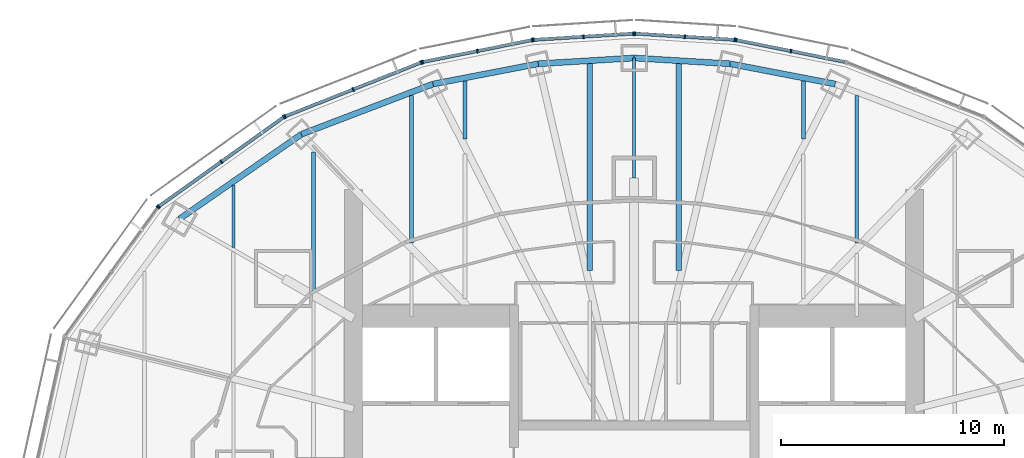
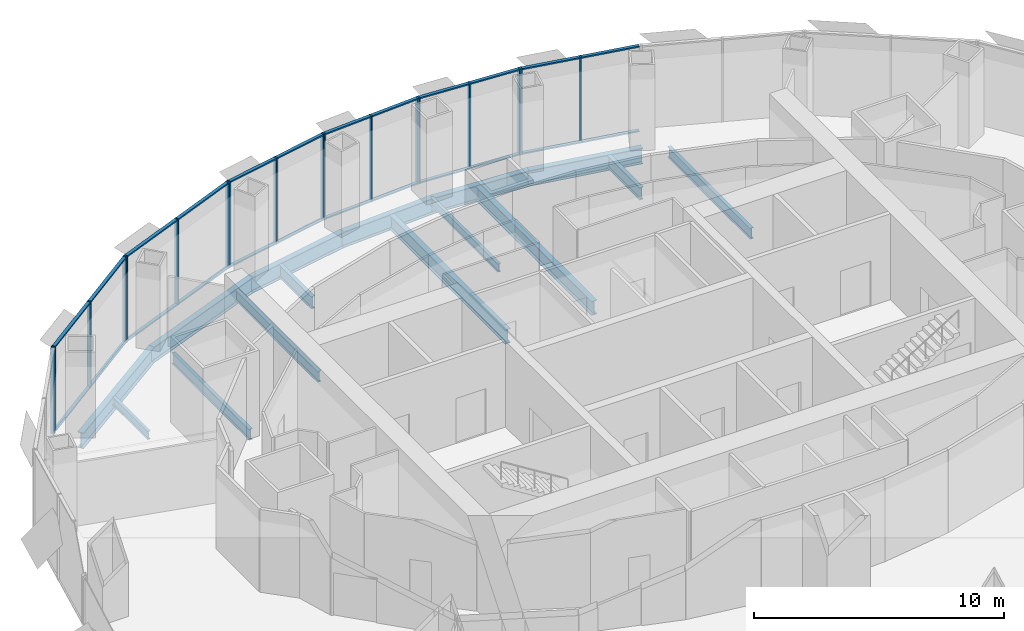
# One storey, part 8 of 17: 42 members, 15 beams, 7 elements without a shape of their own.
"""IFC4 building model written with IfcOpenShell, lengths in metres."""

from ifc_helpers import new_model, si_unit, direction, frame, origin, origin_2d, place, context, subcontext, project, spatial, rectangle, i_section, extrude, material, material_profile, profile_set, type_object, element, aggregate, save


model = new_model("IFC4")

# Units and contexts
model_context = context("Model", 3, precision=1e-05, world=origin(), true_north=direction((0.0, 1.0)))
body_context = subcontext(model_context, "Body", "Model", "MODEL_VIEW")
ifc_project = project(units=[si_unit("LENGTHUNIT", "METRE"), si_unit("AREAUNIT", "SQUARE_METRE"), si_unit("VOLUMEUNIT", "CUBIC_METRE"), si_unit("PLANEANGLEUNIT", "RADIAN"), si_unit("MASSUNIT", "GRAM", prefix="KILO")], contexts=[model_context])

# Site, building, storey
site_placement = place(None, origin())
site = spatial("IfcSite", under=ifc_project, at=site_placement, CompositionType="ELEMENT")
building_placement = place(site_placement, origin())
building = spatial("IfcBuilding", under=site, at=building_placement, Name="Lantaw Convention Tower", CompositionType="ELEMENT")
storey_placement = place(building_placement, frame((0.0, 0.0, 207.39990234375)))
storey = spatial("IfcBuildingStorey", under=building, at=storey_placement, Name="L48", CompositionType="ELEMENT", Elevation=207.39990234375)

# Beams
ifc_material_1 = material(Name="Steel ASTM A992", Category="steel")
ifc_material_profile_1 = material_profile(ifc_material_1, i_section(OverallWidth=0.2666015625, OverallDepth=0.76953125, WebThickness=0.015625, FlangeThickness=0.025390625, FilletRadius=0.0126953125, at=origin_2d()), Name="W30X132")
ifc_profile_set_1 = profile_set([ifc_material_profile_1], Name="Steel ASTM A992")
beam_type_1 = type_object("IfcBeamType", Name="Beam E W30X132", PredefinedType="SPANDREL", material=ifc_profile_set_1)
beam_1_placement = place(storey_placement, frame((9.03466796875, 17.7314453125, -0.53466796875), z_axis=(-0.981972091702, 0.189025953556, 0.0), x_axis=(-0.189025953556, -0.981972091702, 0.0)))
element("IfcBeam", 1, at=beam_1_placement, inside=storey, type_object=beam_type_1, Name="Edge beam 5", PredefinedType="SPANDREL", context=body_context, shape_type="SweptSolid", body=[
    extrude(i_section(OverallWidth=0.2666015625, OverallDepth=0.76953125, WebThickness=0.015625, FlangeThickness=0.025390625, FilletRadius=0.0126953125, at=origin_2d()), origin(), (0.0, 0.0, 1.0), 4.817626953125),
])
for number, where, z_axis, x_axis, name in (
    (2, (4.303955078125, 18.64208984375, -0.53466796875), (-0.998210730897, 0.059794119452, 0.0), (-0.059794119452, -0.998210730897, 0.0), "Edge beam 6"),
    (3, (0.0, 18.89990234375, -0.53466796875), (-0.998210730897, -0.059794119452, 0.0), (0.059794119452, -0.998210730897, 0.0), "Edge beam 7"),
):
    element("IfcBeam", number, at=place(storey_placement, frame(where, z_axis=z_axis, x_axis=x_axis)), inside=storey, type_object=beam_type_1, Name=name, PredefinedType="SPANDREL", context=body_context, shape_type="SweptSolid", body=[
        extrude(i_section(OverallWidth=0.2666015625, OverallDepth=0.76953125, WebThickness=0.015625, FlangeThickness=0.025390625, FilletRadius=0.0126953125, at=origin_2d()), origin(), (0.0, 0.0, 1.0), 4.311767578125),
    ])
beam_2_placement = place(storey_placement, frame((-4.303955078125, 18.64208984375, -0.53466796875), z_axis=(-0.981972091702, -0.189025953556, 0.0), x_axis=(0.189025953556, -0.981972091702, 0.0)))
element("IfcBeam", 4, at=beam_2_placement, inside=storey, type_object=beam_type_1, Name="Edge beam 8", PredefinedType="SPANDREL", context=body_context, shape_type="SweptSolid", body=[
    extrude(i_section(OverallWidth=0.2666015625, OverallDepth=0.76953125, WebThickness=0.015625, FlangeThickness=0.025390625, FilletRadius=0.0126953125, at=origin_2d()), origin(), (0.0, 0.0, 1.0), 4.817626953125),
])
beam_3_placement = place(storey_placement, frame((-9.03466796875, 17.7314453125, -0.53466796875), z_axis=(-0.934234988, -0.356658081637, 0.0), x_axis=(0.356658081637, -0.934234988, 0.0)))
element("IfcBeam", 5, at=beam_3_placement, inside=storey, type_object=beam_type_1, Name="Edge beam 9", PredefinedType="SPANDREL", context=body_context, shape_type="SweptSolid", body=[
    extrude(i_section(OverallWidth=0.2666015625, OverallDepth=0.76953125, WebThickness=0.015625, FlangeThickness=0.025390625, FilletRadius=0.0126953125, at=origin_2d()), origin(), (0.0, 0.0, 1.0), 6.32568359375),
])
beam_4_placement = place(storey_placement, frame((-14.9443359375, 15.475341796875, -0.53466796875), z_axis=(-0.82135329406, -0.570419815869, 0.0), x_axis=(0.570419815869, -0.82135329406, 0.0)))
element("IfcBeam", 6, at=beam_4_placement, inside=storey, type_object=beam_type_1, Name="Edge beam 10", PredefinedType="SPANDREL", context=body_context, shape_type="SweptSolid", body=[
    extrude(i_section(OverallWidth=0.2666015625, OverallDepth=0.76953125, WebThickness=0.015625, FlangeThickness=0.025390625, FilletRadius=0.0126953125, at=origin_2d()), origin(), (0.0, 0.0, 1.0), 6.67041015625),
])
ifc_material_profile_2 = material_profile(ifc_material_1, i_section(OverallWidth=0.140380859375, OverallDepth=0.40380859375, WebThickness=0.007080078125, FlangeThickness=0.01123046875, FilletRadius=0.01025390625, at=origin_2d()), Name="W16X31")
ifc_profile_set_2 = profile_set([ifc_material_profile_2], Name="Steel ASTM A992")
beam_type_2 = type_object("IfcBeamType", Name="Beam G W16X31", PredefinedType="BEAM", material=ifc_profile_set_2)
beam_5_placement = place(storey_placement, frame((0.0, 13.5, -0.351806640625), z_axis=(0.0, 1.0, 0.0), x_axis=(-1.0, 0.0, 0.0)))
element("IfcBeam", 7, at=beam_5_placement, inside=storey, type_object=beam_type_2, Name="Floor girder on ray 7", PredefinedType="BEAM", context=body_context, shape_type="SweptSolid", body=[
    extrude(i_section(OverallWidth=0.140380859375, OverallDepth=0.40380859375, WebThickness=0.007080078125, FlangeThickness=0.01123046875, FilletRadius=0.01025390625, at=origin_2d()), origin(), (0.0, 0.0, 1.0), 5.39990234375),
])
ifc_material_profile_3 = material_profile(ifc_material_1, i_section(OverallWidth=0.140380859375, OverallDepth=0.40380859375, WebThickness=0.007080078125, FlangeThickness=0.01123046875, FilletRadius=0.01025390625, at=origin_2d()), Name="W16X31")
ifc_profile_set_3 = profile_set([ifc_material_profile_3], Name="Steel ASTM A992")
beam_type_3 = type_object("IfcBeamType", Name="Beam J W16X31", PredefinedType="JOIST", material=ifc_profile_set_3)
beam_6_placement = place(storey_placement, frame((-18.0, 10.380859375, -0.351806640625), z_axis=(0.0, 1.0, 0.0), x_axis=(-1.0, 0.0, 0.0)))
element("IfcBeam", 8, at=beam_6_placement, inside=storey, type_object=beam_type_3, Name="Floor joist", PredefinedType="JOIST", context=body_context, shape_type="SweptSolid", body=[
    extrude(i_section(OverallWidth=0.140380859375, OverallDepth=0.40380859375, WebThickness=0.007080078125, FlangeThickness=0.01123046875, FilletRadius=0.01025390625, at=origin_2d()), origin(), (0.0, 0.0, 1.0), 2.81005859375),
])
ifc_material_profile_4 = material_profile(ifc_material_1, i_section(OverallWidth=0.1650390625, OverallDepth=0.52587890625, WebThickness=0.0087890625, FlangeThickness=0.011474609375, FilletRadius=0.0126953125, at=origin_2d()), Name="W21X44")
ifc_profile_set_4 = profile_set([ifc_material_profile_4], Name="Steel ASTM A992")
beam_type_4 = type_object("IfcBeamType", Name="Beam J W21X44", PredefinedType="JOIST", material=ifc_profile_set_4)
beam_7_placement = place(storey_placement, frame((-14.39990234375, 8.461181640625, -0.412841796875), z_axis=(0.0, 1.0, 0.0), x_axis=(-1.0, 0.0, 0.0)))
element("IfcBeam", 9, at=beam_7_placement, inside=storey, type_object=beam_type_4, Name="Floor joist", PredefinedType="JOIST", context=body_context, shape_type="SweptSolid", body=[
    extrude(i_section(OverallWidth=0.1650390625, OverallDepth=0.52587890625, WebThickness=0.0087890625, FlangeThickness=0.011474609375, FilletRadius=0.0126953125, at=origin_2d()), origin(), (0.0, 0.0, 1.0), 6.214599609375),
])
for number, where, z_axis, x_axis, name in (
    (10, (-10.0, 10.591064453125, -0.412841796875), (0.0, 1.0, 0.0), (-1.0, 0.0, 0.0), "Floor joist"),
    (11, (10.0, 10.591064453125, -0.412841796875), (0.0, 1.0, 0.0), (-1.0, 0.0, 0.0), "Floor joist"),
):
    element("IfcBeam", number, at=place(storey_placement, frame(where, z_axis=z_axis, x_axis=x_axis)), inside=storey, type_object=beam_type_4, Name=name, PredefinedType="JOIST", context=body_context, shape_type="SweptSolid", body=[
        extrude(i_section(OverallWidth=0.1650390625, OverallDepth=0.52587890625, WebThickness=0.0087890625, FlangeThickness=0.011474609375, FilletRadius=0.0126953125, at=origin_2d()), origin(), (0.0, 0.0, 1.0), 6.629150390625),
    ])
ifc_material_profile_5 = material_profile(ifc_material_1, i_section(OverallWidth=0.177978515625, OverallDepth=0.599365234375, WebThickness=0.010009765625, FlangeThickness=0.012939453125, FilletRadius=0.012939453125, at=origin_2d()), Name="W24X55")
ifc_profile_set_5 = profile_set([ifc_material_profile_5], Name="Steel ASTM A992")
beam_type_5 = type_object("IfcBeamType", Name="Beam J W24X55", PredefinedType="JOIST", material=ifc_profile_set_5)
for number, where, z_axis, x_axis, name in (
    (12, (-7.60009765625, 15.25439453125, -0.44970703125), (0.0, 1.0, 0.0), (-1.0, 0.0, 0.0), "Floor joist"),
    (13, (7.60009765625, 15.25439453125, -0.44970703125), (0.0, 1.0, 0.0), (-1.0, 0.0, 0.0), "Floor joist"),
):
    element("IfcBeam", number, at=place(storey_placement, frame(where, z_axis=z_axis, x_axis=x_axis)), inside=storey, type_object=beam_type_5, Name=name, PredefinedType="JOIST", context=body_context, shape_type="SweptSolid", body=[
        extrude(i_section(OverallWidth=0.177978515625, OverallDepth=0.599365234375, WebThickness=0.010009765625, FlangeThickness=0.012939453125, FilletRadius=0.012939453125, at=origin_2d()), origin(), (0.0, 0.0, 1.0), 2.617431640625),
    ])
ifc_material_profile_6 = material_profile(ifc_material_1, i_section(OverallWidth=0.25390625, OverallDepth=0.683349609375, WebThickness=0.012451171875, FlangeThickness=0.01904296875, FilletRadius=0.01513671875, at=origin_2d()), Name="W27X94")
ifc_profile_set_6 = profile_set([ifc_material_profile_6], Name="Steel ASTM A992")
beam_type_6 = type_object("IfcBeamType", Name="Beam J W27X94", PredefinedType="JOIST", material=ifc_profile_set_6)
for number, where, z_axis, x_axis, name in (
    (14, (-2.0, 9.34619140625, -0.491455078125), (0.0, 1.0, 0.0), (-1.0, 0.0, 0.0), "Floor joist"),
    (15, (2.0, 9.34619140625, -0.491455078125), (0.0, 1.0, 0.0), (-1.0, 0.0, 0.0), "Floor joist"),
):
    element("IfcBeam", number, at=place(storey_placement, frame(where, z_axis=z_axis, x_axis=x_axis)), inside=storey, type_object=beam_type_6, Name=name, PredefinedType="JOIST", context=body_context, shape_type="SweptSolid", body=[
        extrude(i_section(OverallWidth=0.25390625, OverallDepth=0.683349609375, WebThickness=0.012451171875, FlangeThickness=0.01904296875, FilletRadius=0.01513671875, at=origin_2d()), origin(), (0.0, 0.0, 1.0), 9.30029296875),
    ])

# Curtain wall, members
ifc_material_2 = material(Name="Aluminium framed curtain wall", Category="aluminium")
curtain_wall_type = type_object("IfcCurtainWallType", Name="Office curtain wall high rise, pale aluminium", PredefinedType="USERDEFINED", material=ifc_material_2)
curtain_wall_1_placement = place(storey_placement, origin())
curtain_wall_1 = element("IfcCurtainWall", 16, at=curtain_wall_1_placement, inside=storey, type_object=curtain_wall_type, Name="Office curtain wall high rise, pale aluminium L48", ObjectType="UNITISED CURTAIN WALL", PredefinedType="USERDEFINED")
ifc_material_3 = material(Name="Aluminium 6063-T6", Category="aluminium")
ifc_material_profile_7 = material_profile(ifc_material_3, rectangle(XDim=0.179931640625, YDim=0.06494140625, at=origin_2d()), Name="CW-O2 mullion 65x180")
ifc_profile_set_7 = profile_set([ifc_material_profile_7], Name="Aluminium 6063-T6")
member_type_1 = type_object("IfcMemberType", Name="CW-O2 mullion 65x180", PredefinedType="MULLION", material=ifc_profile_set_7)
member_1_placement = place(storey_placement, frame((7.042724609375, 19.212646484375, -0.14990234375), z_axis=(0.0, 0.0, 1.0), x_axis=(-0.197183095987, -0.980366679695, 0.0)))
member_1 = element("IfcMember", 17, at=member_1_placement, type_object=member_type_1, Name="CW-O2 mullion 2", PredefinedType="MULLION", context=body_context, shape_type="SweptSolid", body=[
    extrude(rectangle(XDim=0.179931640625, YDim=0.06494140625, at=origin_2d()), origin(), (0.0, 0.0, 1.0), 4.199951171875),
])
member_2_placement = place(storey_placement, frame((4.583251953125, 19.70751953125, -0.14990234375), z_axis=(0.0, 0.0, 1.0), x_axis=(-0.197183095987, -0.980366679695, 0.0)))
member_2 = element("IfcMember", 18, at=member_2_placement, type_object=member_type_1, Name="CW-O2 mullion 3", PredefinedType="MULLION", context=body_context, shape_type="SweptSolid", body=[
    extrude(rectangle(XDim=0.179931640625, YDim=0.06494140625, at=origin_2d()), origin(), (0.0, 0.0, 1.0), 4.199951171875),
])

curtain_wall_2_placement = place(storey_placement, origin())
curtain_wall_2 = element("IfcCurtainWall", 19, at=curtain_wall_2_placement, inside=storey, type_object=curtain_wall_type, Name="Office curtain wall high rise, pale aluminium L48", ObjectType="UNITISED CURTAIN WALL", PredefinedType="USERDEFINED")
member_3_placement = place(storey_placement, frame((4.518798828125, 19.7158203125, -0.14990234375), z_axis=(0.0, 0.0, 1.0), x_axis=(-0.062757983884, -0.998028774865, 0.0)))
member_3 = element("IfcMember", 20, at=member_3_placement, type_object=member_type_1, Name="CW-O2 mullion 1", PredefinedType="MULLION", context=body_context, shape_type="SweptSolid", body=[
    extrude(rectangle(XDim=0.179931640625, YDim=0.06494140625, at=origin_2d()), origin(), (0.0, 0.0, 1.0), 4.199951171875),
])
member_4_placement = place(storey_placement, frame((2.275634765625, 19.85693359375, -0.14990234375), z_axis=(0.0, 0.0, 1.0), x_axis=(-0.062757983884, -0.998028774865, 0.0)))
member_4 = element("IfcMember", 21, at=member_4_placement, type_object=member_type_1, Name="CW-O2 mullion 2", PredefinedType="MULLION", context=body_context, shape_type="SweptSolid", body=[
    extrude(rectangle(XDim=0.179931640625, YDim=0.06494140625, at=origin_2d()), origin(), (0.0, 0.0, 1.0), 4.199951171875),
])
member_5_placement = place(storey_placement, frame((0.032470703125, 19.998046875, -0.14990234375), z_axis=(0.0, 0.0, 1.0), x_axis=(-0.062757983884, -0.998028774865, 0.0)))
member_5 = element("IfcMember", 22, at=member_5_placement, type_object=member_type_1, Name="CW-O2 mullion 3", PredefinedType="MULLION", context=body_context, shape_type="SweptSolid", body=[
    extrude(rectangle(XDim=0.179931640625, YDim=0.06494140625, at=origin_2d()), origin(), (0.0, 0.0, 1.0), 4.199951171875),
])

curtain_wall_3_placement = place(storey_placement, origin())
curtain_wall_3 = element("IfcCurtainWall", 23, at=curtain_wall_3_placement, inside=storey, type_object=curtain_wall_type, Name="Office curtain wall high rise, pale aluminium L48", ObjectType="UNITISED CURTAIN WALL", PredefinedType="USERDEFINED")
member_6_placement = place(storey_placement, frame((-0.032470703125, 19.998046875, -0.14990234375), z_axis=(0.0, 0.0, 1.0), x_axis=(0.062757983884, -0.998028774865, 0.0)))
member_6 = element("IfcMember", 24, at=member_6_placement, type_object=member_type_1, Name="CW-O2 mullion 1", PredefinedType="MULLION", context=body_context, shape_type="SweptSolid", body=[
    extrude(rectangle(XDim=0.179931640625, YDim=0.06494140625, at=origin_2d()), origin(), (0.0, 0.0, 1.0), 4.199951171875),
])
member_7_placement = place(storey_placement, frame((-2.275634765625, 19.85693359375, -0.14990234375), z_axis=(0.0, 0.0, 1.0), x_axis=(0.062757983884, -0.998028774865, 0.0)))
member_7 = element("IfcMember", 25, at=member_7_placement, type_object=member_type_1, Name="CW-O2 mullion 2", PredefinedType="MULLION", context=body_context, shape_type="SweptSolid", body=[
    extrude(rectangle(XDim=0.179931640625, YDim=0.06494140625, at=origin_2d()), origin(), (0.0, 0.0, 1.0), 4.199951171875),
])
member_8_placement = place(storey_placement, frame((-4.518798828125, 19.7158203125, -0.14990234375), z_axis=(0.0, 0.0, 1.0), x_axis=(0.062757983884, -0.998028774865, 0.0)))
member_8 = element("IfcMember", 26, at=member_8_placement, type_object=member_type_1, Name="CW-O2 mullion 3", PredefinedType="MULLION", context=body_context, shape_type="SweptSolid", body=[
    extrude(rectangle(XDim=0.179931640625, YDim=0.06494140625, at=origin_2d()), origin(), (0.0, 0.0, 1.0), 4.199951171875),
])

curtain_wall_4_placement = place(storey_placement, origin())
curtain_wall_4 = element("IfcCurtainWall", 27, at=curtain_wall_4_placement, inside=storey, type_object=curtain_wall_type, Name="Office curtain wall high rise, pale aluminium L48", ObjectType="UNITISED CURTAIN WALL", PredefinedType="USERDEFINED")
member_9_placement = place(storey_placement, frame((-4.583251953125, 19.70751953125, -0.14990234375), z_axis=(0.0, 0.0, 1.0), x_axis=(0.197183095987, -0.980366679695, 0.0)))
member_9 = element("IfcMember", 28, at=member_9_placement, type_object=member_type_1, Name="CW-O2 mullion 1", PredefinedType="MULLION", context=body_context, shape_type="SweptSolid", body=[
    extrude(rectangle(XDim=0.179931640625, YDim=0.06494140625, at=origin_2d()), origin(), (0.0, 0.0, 1.0), 4.199951171875),
])
member_10_placement = place(storey_placement, frame((-7.042724609375, 19.212646484375, -0.14990234375), z_axis=(0.0, 0.0, 1.0), x_axis=(0.197183095987, -0.980366679695, 0.0)))
member_10 = element("IfcMember", 29, at=member_10_placement, type_object=member_type_1, Name="CW-O2 mullion 2", PredefinedType="MULLION", context=body_context, shape_type="SweptSolid", body=[
    extrude(rectangle(XDim=0.179931640625, YDim=0.06494140625, at=origin_2d()), origin(), (0.0, 0.0, 1.0), 4.199951171875),
])
member_11_placement = place(storey_placement, frame((-9.502197265625, 18.718017578125, -0.14990234375), z_axis=(0.0, 0.0, 1.0), x_axis=(0.197183095987, -0.980366679695, 0.0)))
member_11 = element("IfcMember", 30, at=member_11_placement, type_object=member_type_1, Name="CW-O2 mullion 3", PredefinedType="MULLION", context=body_context, shape_type="SweptSolid", body=[
    extrude(rectangle(XDim=0.179931640625, YDim=0.06494140625, at=origin_2d()), origin(), (0.0, 0.0, 1.0), 4.199951171875),
])

curtain_wall_5_placement = place(storey_placement, origin())
curtain_wall_5 = element("IfcCurtainWall", 31, at=curtain_wall_5_placement, inside=storey, type_object=curtain_wall_type, Name="Office curtain wall high rise, pale aluminium L48", ObjectType="UNITISED CURTAIN WALL", PredefinedType="USERDEFINED")
member_12_placement = place(storey_placement, frame((-9.564208984375, 18.69970703125, -0.14990234375), z_axis=(0.0, 0.0, 1.0), x_axis=(0.368162315252, -0.929761533743, 0.0)))
member_12 = element("IfcMember", 32, at=member_12_placement, type_object=member_type_1, Name="CW-O2 mullion 1", PredefinedType="MULLION", context=body_context, shape_type="SweptSolid", body=[
    extrude(rectangle(XDim=0.179931640625, YDim=0.06494140625, at=origin_2d()), origin(), (0.0, 0.0, 1.0), 4.199951171875),
])
member_13_placement = place(storey_placement, frame((-12.621337890625, 17.4892578125, -0.14990234375), z_axis=(0.0, 0.0, 1.0), x_axis=(0.368162315252, -0.929761533743, 0.0)))
member_13 = element("IfcMember", 33, at=member_13_placement, type_object=member_type_1, Name="CW-O2 mullion 2", PredefinedType="MULLION", context=body_context, shape_type="SweptSolid", body=[
    extrude(rectangle(XDim=0.179931640625, YDim=0.06494140625, at=origin_2d()), origin(), (0.0, 0.0, 1.0), 4.199951171875),
])
member_14_placement = place(storey_placement, frame((-15.67822265625, 16.278564453125, -0.14990234375), z_axis=(0.0, 0.0, 1.0), x_axis=(0.368162315252, -0.929761533743, 0.0)))
member_14 = element("IfcMember", 34, at=member_14_placement, type_object=member_type_1, Name="CW-O2 mullion 3", PredefinedType="MULLION", context=body_context, shape_type="SweptSolid", body=[
    extrude(rectangle(XDim=0.179931640625, YDim=0.06494140625, at=origin_2d()), origin(), (0.0, 0.0, 1.0), 4.199951171875),
])

curtain_wall_6_placement = place(storey_placement, origin())
curtain_wall_6 = element("IfcCurtainWall", 35, at=curtain_wall_6_placement, inside=storey, type_object=curtain_wall_type, Name="Office curtain wall high rise, pale aluminium L48", ObjectType="UNITISED CURTAIN WALL", PredefinedType="USERDEFINED")
member_15_placement = place(storey_placement, frame((-15.73486328125, 16.247802734375, -0.14990234375), z_axis=(0.0, 0.0, 1.0), x_axis=(0.581323487281, -0.813672540482, 0.0)))
member_15 = element("IfcMember", 36, at=member_15_placement, type_object=member_type_1, Name="CW-O2 mullion 1", PredefinedType="MULLION", context=body_context, shape_type="SweptSolid", body=[
    extrude(rectangle(XDim=0.179931640625, YDim=0.06494140625, at=origin_2d()), origin(), (0.0, 0.0, 1.0), 4.199951171875),
])
member_16_placement = place(storey_placement, frame((-18.543212890625, 14.241455078125, -0.14990234375), z_axis=(0.0, 0.0, 1.0), x_axis=(0.581323487281, -0.813672540482, 0.0)))
member_16 = element("IfcMember", 37, at=member_16_placement, type_object=member_type_1, Name="CW-O2 mullion 2", PredefinedType="MULLION", context=body_context, shape_type="SweptSolid", body=[
    extrude(rectangle(XDim=0.179931640625, YDim=0.06494140625, at=origin_2d()), origin(), (0.0, 0.0, 1.0), 4.199951171875),
])
member_17_placement = place(storey_placement, frame((-21.3515625, 12.23486328125, -0.14990234375), z_axis=(0.0, 0.0, 1.0), x_axis=(0.581323487281, -0.813672540482, 0.0)))
member_17 = element("IfcMember", 38, at=member_17_placement, type_object=member_type_1, Name="CW-O2 mullion 3", PredefinedType="MULLION", context=body_context, shape_type="SweptSolid", body=[
    extrude(rectangle(XDim=0.179931640625, YDim=0.06494140625, at=origin_2d()), origin(), (0.0, 0.0, 1.0), 4.199951171875),
])

# Curtain wall, member
curtain_wall_7_placement = place(storey_placement, origin())
curtain_wall_7 = element("IfcCurtainWall", 39, at=curtain_wall_7_placement, inside=storey, type_object=curtain_wall_type, Name="Office curtain wall high rise, pale aluminium L48", ObjectType="UNITISED CURTAIN WALL", PredefinedType="USERDEFINED")
member_18_placement = place(storey_placement, frame((-21.397216796875, 12.189697265625, -0.14990234375), z_axis=(0.0, 0.0, 1.0), x_axis=(0.810919559405, -0.585157643865, 0.0)))
member_18 = element("IfcMember", 40, at=member_18_placement, type_object=member_type_1, Name="CW-O2 mullion 1", PredefinedType="MULLION", context=body_context, shape_type="SweptSolid", body=[
    extrude(rectangle(XDim=0.179931640625, YDim=0.06494140625, at=origin_2d()), origin(), (0.0, 0.0, 1.0), 4.199951171875),
])
aggregate(curtain_wall_7, [member_18])

# Member
ifc_material_profile_8 = material_profile(ifc_material_3, rectangle(XDim=0.14990234375, YDim=0.06494140625, at=origin_2d()), Name="CW-O2 transom 65x150")
ifc_profile_set_8 = profile_set([ifc_material_profile_8], Name="Aluminium 6063-T6")
member_type_2 = type_object("IfcMemberType", Name="CW-O2 transom 65x150", PredefinedType="USERDEFINED", material=ifc_profile_set_8)
member_19_placement = place(storey_placement, frame((9.47021484375, 18.724365234375, -0.117431640625), z_axis=(-0.98036104319, 0.197211117829, 0.0), x_axis=(-0.197211117829, -0.98036104319, 0.0)))
member_19 = element("IfcMember", 41, at=member_19_placement, type_object=member_type_2, Name="CW-O2 transom 1.1", ObjectType="TRANSOM", PredefinedType="USERDEFINED", context=body_context, shape_type="SweptSolid", body=[
    extrude(rectangle(XDim=0.14990234375, YDim=0.06494140625, at=origin_2d()), origin(), (0.0, 0.0, 1.0), 2.44384765625),
])

member_20_placement = place(storey_placement, frame((9.47021484375, 18.724365234375, 4.017578125), z_axis=(-0.98036104319, 0.197211117829, 0.0), x_axis=(-0.197211117829, -0.98036104319, 0.0)))
member_20 = element("IfcMember", 42, at=member_20_placement, type_object=member_type_2, Name="CW-O2 transom 1.2", ObjectType="TRANSOM", PredefinedType="USERDEFINED", context=body_context, shape_type="SweptSolid", body=[
    extrude(rectangle(XDim=0.14990234375, YDim=0.06494140625, at=origin_2d()), origin(), (0.0, 0.0, 1.0), 2.44384765625),
])

member_21_placement = place(storey_placement, frame((7.0107421875, 19.21923828125, -0.117431640625), z_axis=(-0.980380354178, 0.197115096178, 0.0), x_axis=(-0.197115096178, -0.980380354178, 0.0)))
member_21 = element("IfcMember", 43, at=member_21_placement, type_object=member_type_2, Name="CW-O2 transom 2.1", ObjectType="TRANSOM", PredefinedType="USERDEFINED", context=body_context, shape_type="SweptSolid", body=[
    extrude(rectangle(XDim=0.14990234375, YDim=0.06494140625, at=origin_2d()), origin(), (0.0, 0.0, 1.0), 2.443603515625),
])

member_22_placement = place(storey_placement, frame((7.0107421875, 19.21923828125, 4.017578125), z_axis=(-0.980380354178, 0.197115096178, 0.0), x_axis=(-0.197115096178, -0.980380354178, 0.0)))
member_22 = element("IfcMember", 44, at=member_22_placement, type_object=member_type_2, Name="CW-O2 transom 2.2", ObjectType="TRANSOM", PredefinedType="USERDEFINED", context=body_context, shape_type="SweptSolid", body=[
    extrude(rectangle(XDim=0.14990234375, YDim=0.06494140625, at=origin_2d()), origin(), (0.0, 0.0, 1.0), 2.443603515625),
])

aggregate(curtain_wall_1, [member_1, member_2, member_19, member_20, member_21, member_22])

member_23_placement = place(storey_placement, frame((4.486328125, 19.7177734375, -0.117431640625), z_axis=(-0.998021991509, 0.062865765437, 0.0), x_axis=(-0.062865765437, -0.998021991509, 0.0)))
member_23 = element("IfcMember", 45, at=member_23_placement, type_object=member_type_2, Name="CW-O2 transom 1.1", ObjectType="TRANSOM", PredefinedType="USERDEFINED", context=body_context, shape_type="SweptSolid", body=[
    extrude(rectangle(XDim=0.14990234375, YDim=0.06494140625, at=origin_2d()), origin(), (0.0, 0.0, 1.0), 2.1826171875),
])

member_24_placement = place(storey_placement, frame((4.486328125, 19.7177734375, 4.017578125), z_axis=(-0.998021991509, 0.062865765437, 0.0), x_axis=(-0.062865765437, -0.998021991509, 0.0)))
member_24 = element("IfcMember", 46, at=member_24_placement, type_object=member_type_2, Name="CW-O2 transom 1.2", ObjectType="TRANSOM", PredefinedType="USERDEFINED", context=body_context, shape_type="SweptSolid", body=[
    extrude(rectangle(XDim=0.14990234375, YDim=0.06494140625, at=origin_2d()), origin(), (0.0, 0.0, 1.0), 2.1826171875),
])

member_25_placement = place(storey_placement, frame((2.2431640625, 19.85888671875, -0.117431640625), z_axis=(-0.998029003644, 0.062754345555, 0.0), x_axis=(-0.062754345555, -0.998029003644, 0.0)))
member_25 = element("IfcMember", 47, at=member_25_placement, type_object=member_type_2, Name="CW-O2 transom 2.1", ObjectType="TRANSOM", PredefinedType="USERDEFINED", context=body_context, shape_type="SweptSolid", body=[
    extrude(rectangle(XDim=0.14990234375, YDim=0.06494140625, at=origin_2d()), origin(), (0.0, 0.0, 1.0), 2.1826171875),
])

member_26_placement = place(storey_placement, frame((2.2431640625, 19.85888671875, 4.017578125), z_axis=(-0.998029003644, 0.062754345555, 0.0), x_axis=(-0.062754345555, -0.998029003644, 0.0)))
member_26 = element("IfcMember", 48, at=member_26_placement, type_object=member_type_2, Name="CW-O2 transom 2.2", ObjectType="TRANSOM", PredefinedType="USERDEFINED", context=body_context, shape_type="SweptSolid", body=[
    extrude(rectangle(XDim=0.14990234375, YDim=0.06494140625, at=origin_2d()), origin(), (0.0, 0.0, 1.0), 2.1826171875),
])

aggregate(curtain_wall_2, [member_3, member_4, member_5, member_23, member_24, member_25, member_26])

member_27_placement = place(storey_placement, frame((-0.06494140625, 19.995849609375, -0.117431640625), z_axis=(-0.998029003644, -0.062754345555, 0.0), x_axis=(0.062754345555, -0.998029003644, 0.0)))
member_27 = element("IfcMember", 49, at=member_27_placement, type_object=member_type_2, Name="CW-O2 transom 1.1", ObjectType="TRANSOM", PredefinedType="USERDEFINED", context=body_context, shape_type="SweptSolid", body=[
    extrude(rectangle(XDim=0.14990234375, YDim=0.06494140625, at=origin_2d()), origin(), (0.0, 0.0, 1.0), 2.1826171875),
])

member_28_placement = place(storey_placement, frame((-0.06494140625, 19.995849609375, 4.017578125), z_axis=(-0.998029003644, -0.062754345555, 0.0), x_axis=(0.062754345555, -0.998029003644, 0.0)))
member_28 = element("IfcMember", 50, at=member_28_placement, type_object=member_type_2, Name="CW-O2 transom 1.2", ObjectType="TRANSOM", PredefinedType="USERDEFINED", context=body_context, shape_type="SweptSolid", body=[
    extrude(rectangle(XDim=0.14990234375, YDim=0.06494140625, at=origin_2d()), origin(), (0.0, 0.0, 1.0), 2.1826171875),
])

member_29_placement = place(storey_placement, frame((-2.30810546875, 19.85498046875, -0.117431640625), z_axis=(-0.998021991509, -0.062865765437, 0.0), x_axis=(0.062865765437, -0.998021991509, 0.0)))
member_29 = element("IfcMember", 51, at=member_29_placement, type_object=member_type_2, Name="CW-O2 transom 2.1", ObjectType="TRANSOM", PredefinedType="USERDEFINED", context=body_context, shape_type="SweptSolid", body=[
    extrude(rectangle(XDim=0.14990234375, YDim=0.06494140625, at=origin_2d()), origin(), (0.0, 0.0, 1.0), 2.1826171875),
])

member_30_placement = place(storey_placement, frame((-2.30810546875, 19.85498046875, 4.017578125), z_axis=(-0.998021991509, -0.062865765437, 0.0), x_axis=(0.062865765437, -0.998021991509, 0.0)))
member_30 = element("IfcMember", 52, at=member_30_placement, type_object=member_type_2, Name="CW-O2 transom 2.2", ObjectType="TRANSOM", PredefinedType="USERDEFINED", context=body_context, shape_type="SweptSolid", body=[
    extrude(rectangle(XDim=0.14990234375, YDim=0.06494140625, at=origin_2d()), origin(), (0.0, 0.0, 1.0), 2.1826171875),
])

aggregate(curtain_wall_3, [member_6, member_7, member_8, member_27, member_28, member_29, member_30])

member_31_placement = place(storey_placement, frame((-4.614990234375, 19.700927734375, -0.117431640625), z_axis=(-0.980380354178, -0.197115096178, 0.0), x_axis=(0.197115096178, -0.980380354178, 0.0)))
member_31 = element("IfcMember", 53, at=member_31_placement, type_object=member_type_2, Name="CW-O2 transom 1.1", ObjectType="TRANSOM", PredefinedType="USERDEFINED", context=body_context, shape_type="SweptSolid", body=[
    extrude(rectangle(XDim=0.14990234375, YDim=0.06494140625, at=origin_2d()), origin(), (0.0, 0.0, 1.0), 2.443603515625),
])

member_32_placement = place(storey_placement, frame((-4.614990234375, 19.700927734375, 4.017578125), z_axis=(-0.980380354178, -0.197115096178, 0.0), x_axis=(0.197115096178, -0.980380354178, 0.0)))
member_32 = element("IfcMember", 54, at=member_32_placement, type_object=member_type_2, Name="CW-O2 transom 1.2", ObjectType="TRANSOM", PredefinedType="USERDEFINED", context=body_context, shape_type="SweptSolid", body=[
    extrude(rectangle(XDim=0.14990234375, YDim=0.06494140625, at=origin_2d()), origin(), (0.0, 0.0, 1.0), 2.443603515625),
])

member_33_placement = place(storey_placement, frame((-7.074462890625, 19.206298828125, -0.117431640625), z_axis=(-0.98036104319, -0.197211117829, 0.0), x_axis=(0.197211117829, -0.98036104319, 0.0)))
member_33 = element("IfcMember", 55, at=member_33_placement, type_object=member_type_2, Name="CW-O2 transom 2.1", ObjectType="TRANSOM", PredefinedType="USERDEFINED", context=body_context, shape_type="SweptSolid", body=[
    extrude(rectangle(XDim=0.14990234375, YDim=0.06494140625, at=origin_2d()), origin(), (0.0, 0.0, 1.0), 2.44384765625),
])

member_34_placement = place(storey_placement, frame((-7.074462890625, 19.206298828125, 4.017578125), z_axis=(-0.98036104319, -0.197211117829, 0.0), x_axis=(0.197211117829, -0.98036104319, 0.0)))
member_34 = element("IfcMember", 56, at=member_34_placement, type_object=member_type_2, Name="CW-O2 transom 2.2", ObjectType="TRANSOM", PredefinedType="USERDEFINED", context=body_context, shape_type="SweptSolid", body=[
    extrude(rectangle(XDim=0.14990234375, YDim=0.06494140625, at=origin_2d()), origin(), (0.0, 0.0, 1.0), 2.44384765625),
])

aggregate(curtain_wall_4, [member_9, member_10, member_11, member_31, member_32, member_33, member_34])

member_35_placement = place(storey_placement, frame((-9.594482421875, 18.687744140625, -0.117431640625), z_axis=(-0.929766642946, -0.368149412149, 0.0), x_axis=(0.368149412149, -0.929766642946, 0.0)))
member_35 = element("IfcMember", 57, at=member_35_placement, type_object=member_type_2, Name="CW-O2 transom 1.1", ObjectType="TRANSOM", PredefinedType="USERDEFINED", context=body_context, shape_type="SweptSolid", body=[
    extrude(rectangle(XDim=0.14990234375, YDim=0.06494140625, at=origin_2d()), origin(), (0.0, 0.0, 1.0), 3.222900390625),
])

member_36_placement = place(storey_placement, frame((-9.594482421875, 18.687744140625, 4.017578125), z_axis=(-0.929766642946, -0.368149412149, 0.0), x_axis=(0.368149412149, -0.929766642946, 0.0)))
member_36 = element("IfcMember", 58, at=member_36_placement, type_object=member_type_2, Name="CW-O2 transom 1.2", ObjectType="TRANSOM", PredefinedType="USERDEFINED", context=body_context, shape_type="SweptSolid", body=[
    extrude(rectangle(XDim=0.14990234375, YDim=0.06494140625, at=origin_2d()), origin(), (0.0, 0.0, 1.0), 3.222900390625),
])

member_37_placement = place(storey_placement, frame((-12.651611328125, 17.477294921875, -0.117431640625), z_axis=(-0.929740712354, -0.368214893495, 0.0), x_axis=(0.368214893495, -0.929740712354, 0.0)))
member_37 = element("IfcMember", 59, at=member_37_placement, type_object=member_type_2, Name="CW-O2 transom 2.1", ObjectType="TRANSOM", PredefinedType="USERDEFINED", context=body_context, shape_type="SweptSolid", body=[
    extrude(rectangle(XDim=0.14990234375, YDim=0.06494140625, at=origin_2d()), origin(), (0.0, 0.0, 1.0), 3.22314453125),
])

member_38_placement = place(storey_placement, frame((-12.651611328125, 17.477294921875, 4.017578125), z_axis=(-0.929740712354, -0.368214893495, 0.0), x_axis=(0.368214893495, -0.929740712354, 0.0)))
member_38 = element("IfcMember", 60, at=member_38_placement, type_object=member_type_2, Name="CW-O2 transom 2.2", ObjectType="TRANSOM", PredefinedType="USERDEFINED", context=body_context, shape_type="SweptSolid", body=[
    extrude(rectangle(XDim=0.14990234375, YDim=0.06494140625, at=origin_2d()), origin(), (0.0, 0.0, 1.0), 3.22314453125),
])

aggregate(curtain_wall_5, [member_12, member_13, member_14, member_35, member_36, member_37, member_38])

member_39_placement = place(storey_placement, frame((-15.761474609375, 16.22900390625, -0.117431640625), z_axis=(-0.813645780821, -0.581360940683, 0.0), x_axis=(0.581360940683, -0.813645780821, 0.0)))
member_39 = element("IfcMember", 61, at=member_39_placement, type_object=member_type_2, Name="CW-O2 transom 1.1", ObjectType="TRANSOM", PredefinedType="USERDEFINED", context=body_context, shape_type="SweptSolid", body=[
    extrude(rectangle(XDim=0.14990234375, YDim=0.06494140625, at=origin_2d()), origin(), (0.0, 0.0, 1.0), 3.386474609375),
])

member_40_placement = place(storey_placement, frame((-15.761474609375, 16.22900390625, 4.017578125), z_axis=(-0.813645780821, -0.581360940683, 0.0), x_axis=(0.581360940683, -0.813645780821, 0.0)))
member_40 = element("IfcMember", 62, at=member_40_placement, type_object=member_type_2, Name="CW-O2 transom 1.2", ObjectType="TRANSOM", PredefinedType="USERDEFINED", context=body_context, shape_type="SweptSolid", body=[
    extrude(rectangle(XDim=0.14990234375, YDim=0.06494140625, at=origin_2d()), origin(), (0.0, 0.0, 1.0), 3.386474609375),
])

member_41_placement = place(storey_placement, frame((-18.56982421875, 14.222412109375, -0.117431640625), z_axis=(-0.813679882592, -0.581313210468, 0.0), x_axis=(0.581313210468, -0.813679882592, 0.0)))
member_41 = element("IfcMember", 63, at=member_41_placement, type_object=member_type_2, Name="CW-O2 transom 2.1", ObjectType="TRANSOM", PredefinedType="USERDEFINED", context=body_context, shape_type="SweptSolid", body=[
    extrude(rectangle(XDim=0.14990234375, YDim=0.06494140625, at=origin_2d()), origin(), (0.0, 0.0, 1.0), 3.38623046875),
])

member_42_placement = place(storey_placement, frame((-18.56982421875, 14.222412109375, 4.017578125), z_axis=(-0.813679882592, -0.581313210468, 0.0), x_axis=(0.581313210468, -0.813679882592, 0.0)))
member_42 = element("IfcMember", 64, at=member_42_placement, type_object=member_type_2, Name="CW-O2 transom 2.2", ObjectType="TRANSOM", PredefinedType="USERDEFINED", context=body_context, shape_type="SweptSolid", body=[
    extrude(rectangle(XDim=0.14990234375, YDim=0.06494140625, at=origin_2d()), origin(), (0.0, 0.0, 1.0), 3.38623046875),
])

aggregate(curtain_wall_6, [member_15, member_16, member_17, member_39, member_40, member_41, member_42])

save(model, "model.ifc")
